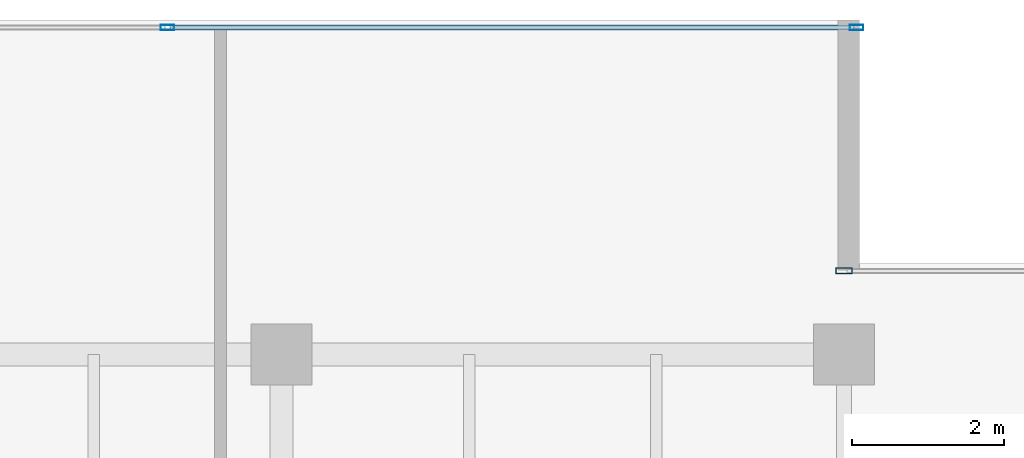
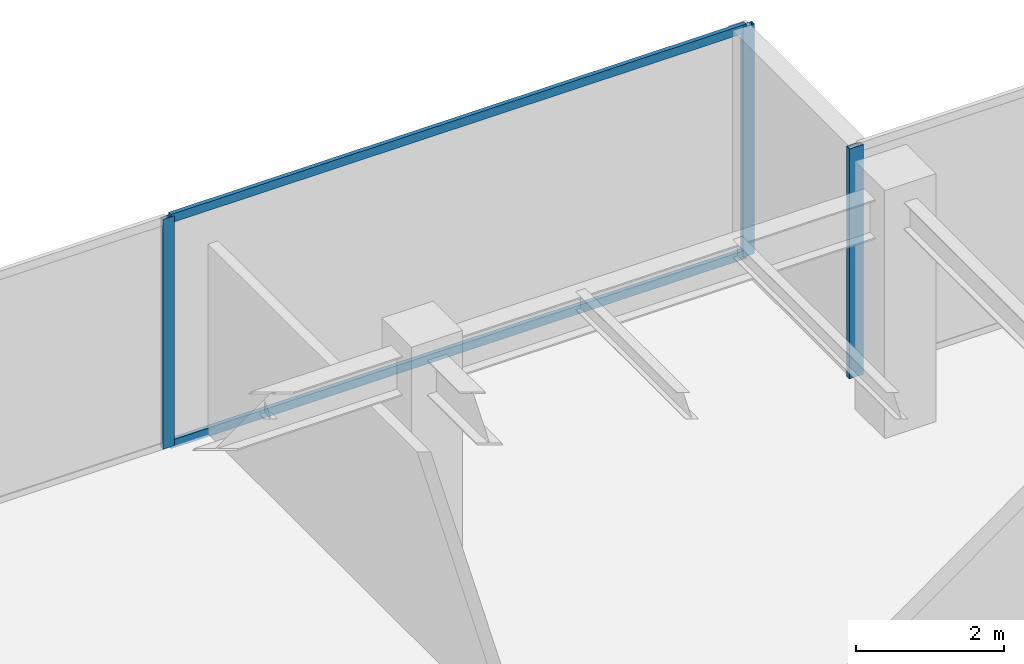
# One storey, part 21 of 33: 5 members, 2 elements without a shape of their own.
"""IFC4 building model written with IfcOpenShell, lengths in metres."""

from ifc_helpers import new_model, si_unit, direction, frame, origin, origin_2d, place, context, subcontext, project, spatial, hollow_rectangle, extrude, source, transform, mapped, material, layer, layer_set, material_profile, profile_set, type_object, type_shapes, element, aggregate, save


model = new_model("IFC4")

# Units and contexts
model_context = context("Model", 3, precision=1e-05, world=origin(), true_north=direction((0.0, 1.0)))
body_context = subcontext(model_context, "Body", "Model", "MODEL_VIEW")
ifc_project = project(units=[si_unit("LENGTHUNIT", "METRE"), si_unit("AREAUNIT", "SQUARE_METRE"), si_unit("VOLUMEUNIT", "CUBIC_METRE"), si_unit("PLANEANGLEUNIT", "RADIAN"), si_unit("MASSUNIT", "GRAM", prefix="KILO")], contexts=[model_context])

# Site, building, storey
site_placement = place(None, origin())
site = spatial("IfcSite", under=ifc_project, at=site_placement, CompositionType="ELEMENT")
building_placement = place(site_placement, origin())
building = spatial("IfcBuilding", under=site, at=building_placement, Name="Haelvirn Gate Laboratories", CompositionType="ELEMENT")
storey_placement = place(building_placement, frame((0.0, 0.0, 230.10009765625)))
storey = spatial("IfcBuildingStorey", under=building, at=storey_placement, Name="L55", CompositionType="ELEMENT", Elevation=230.10009765625)

# Curtain wall, members
ifc_material_1 = material(Name="Anodised bronze unitised aluminium & triple low-E glass", Category="aluminium")
ifc_layer_1 = layer(ifc_material_1, 0.176025390625, Name="CW-SYS-4")
ifc_layer_set_1 = layer_set([ifc_layer_1], Name="Anodised bronze unitised aluminium & triple low-E glass")
curtain_wall_type_1 = type_object("IfcCurtainWallType", Name="CW-SYS-4", PredefinedType="NOTDEFINED", material=ifc_layer_set_1)
curtain_wall_1_placement = place(storey_placement, origin())
curtain_wall_1 = element("IfcCurtainWall", 1, at=curtain_wall_1_placement, inside=storey, type_object=curtain_wall_type_1, Name="L55 Unitised Curtain Wall CW-L55-P0-E10-1", PredefinedType="NOTDEFINED")
ifc_material_2 = material(Name="Extruded aluminium 6063-T6 (anodised bronze)", Category="aluminium")
ifc_material_profile_1 = material_profile(ifc_material_2, hollow_rectangle(XDim=0.06494140625, YDim=0.139892578125, WallThickness=0.00390625, at=origin_2d()), Name="CWT-140x65x4")
ifc_profile_set_1 = profile_set([ifc_material_profile_1], Name="Extruded aluminium 6063-T6 (anodised bronze)")
member_type_1 = type_object("IfcMemberType", Name="CWT-T140", PredefinedType="USERDEFINED", material=ifc_profile_set_1)
shared_shape_1 = source(origin(), body_context, "Body", "SweptSolid", [
    extrude(hollow_rectangle(XDim=0.06494140625, YDim=0.139892578125, WallThickness=0.00390625, at=origin_2d()), origin(), (0.0, 0.0, 1.0), 8.9951171875),
])
type_shapes(member_type_1, [shared_shape_1])
member_1_placement = place(storey_placement, frame((58.534912109375, 45.89990234375, 0.032470703125), z_axis=(1.0, 0.0, 0.0), x_axis=(0.0, 1.0, 0.0)))
member_1 = element("IfcMember", 2, at=member_1_placement, type_object=member_type_1, Name="CW4 transom 2.1", ObjectType="TRANSOM", PredefinedType="USERDEFINED", context=body_context, shape_type="MappedRepresentation", body=[
    mapped(shared_shape_1, transform((0.0, 0.0, 0.0), scale=1.0)),
])
member_2_placement = place(storey_placement, frame((58.534912109375, 45.89990234375, 3.767333984375), z_axis=(1.0, 0.0, 0.0), x_axis=(0.0, 1.0, 0.0)))
member_2 = element("IfcMember", 3, at=member_2_placement, type_object=member_type_1, Name="CW4 transom 2.2", ObjectType="TRANSOM", PredefinedType="USERDEFINED", context=body_context, shape_type="MappedRepresentation", body=[
    mapped(shared_shape_1, transform((0.0, 0.0, 0.0), scale=1.0)),
])
ifc_material_profile_2 = material_profile(ifc_material_2, hollow_rectangle(XDim=0.070068359375, YDim=0.179931640625, WallThickness=0.0048828125, at=origin_2d()), Name="CWM-180x70x5")
ifc_profile_set_2 = profile_set([ifc_material_profile_2], Name="Extruded aluminium 6063-T6 (anodised bronze)")
member_type_2 = type_object("IfcMemberType", Name="CWM-T180", PredefinedType="MULLION", material=ifc_profile_set_2)
shared_shape_2 = source(origin(), body_context, "Body", "SweptSolid", [
    extrude(hollow_rectangle(XDim=0.070068359375, YDim=0.179931640625, WallThickness=0.0048828125, at=origin_2d()), origin(), (0.0, 0.0, 1.0), 3.7998046875),
])
type_shapes(member_type_2, [shared_shape_2])
member_3_placement = place(storey_placement, frame((58.5, 45.89990234375, 0.0), z_axis=(0.0, 0.0, 1.0), x_axis=(0.0, 1.0, 0.0)))
member_3 = element("IfcMember", 4, at=member_3_placement, type_object=member_type_2, Name="CW4 mullion 2", PredefinedType="MULLION", context=body_context, shape_type="MappedRepresentation", body=[
    mapped(shared_shape_2, transform((0.0, 0.0, 0.0), scale=1.0)),
])
member_4_placement = place(storey_placement, frame((67.56494140625, 45.89990234375, 0.0), z_axis=(0.0, 0.0, 1.0), x_axis=(0.0, 1.0, 0.0)))
member_4 = element("IfcMember", 5, at=member_4_placement, type_object=member_type_2, Name="CW4 mullion 3", PredefinedType="MULLION", context=body_context, shape_type="MappedRepresentation", body=[
    mapped(shared_shape_2, transform((0.0, 0.0, 0.0), scale=1.0)),
])
aggregate(curtain_wall_1, [member_3, member_4, member_1, member_2])

# Curtain wall, member
ifc_layer_2 = layer(ifc_material_1, 0.181884765625, Name="CW-SYS-5")
ifc_layer_set_2 = layer_set([ifc_layer_2], Name="Anodised bronze unitised aluminium & triple low-E glass")
curtain_wall_type_2 = type_object("IfcCurtainWallType", Name="CW-SYS-5", PredefinedType="NOTDEFINED", material=ifc_layer_set_2)
curtain_wall_2_placement = place(storey_placement, origin())
curtain_wall_2 = element("IfcCurtainWall", 6, at=curtain_wall_2_placement, inside=storey, type_object=curtain_wall_type_2, Name="L55 Unitised Curtain Wall CW-L55-P0-E08-1", PredefinedType="NOTDEFINED")
ifc_material_profile_3 = material_profile(ifc_material_2, hollow_rectangle(XDim=0.080078125, YDim=0.219970703125, WallThickness=0.006103515625, at=origin_2d()), Name="CWM-220x80x6")
ifc_profile_set_3 = profile_set([ifc_material_profile_3], Name="Extruded aluminium 6063-T6 (anodised bronze)")
member_type_3 = type_object("IfcMemberType", Name="CWM-T220", PredefinedType="MULLION", material=ifc_profile_set_3)
shared_shape_3 = source(origin(), body_context, "Body", "SweptSolid", [
    extrude(hollow_rectangle(XDim=0.080078125, YDim=0.219970703125, WallThickness=0.006103515625, at=origin_2d()), origin(), (0.0, 0.0, 1.0), 3.7998046875),
])
type_shapes(member_type_3, [shared_shape_3])
member_5_placement = place(storey_placement, frame((67.39990234375, 42.699951171875, 0.0), z_axis=(0.0, 0.0, 1.0), x_axis=(0.0, 1.0, 0.0)))
member_5 = element("IfcMember", 7, at=member_5_placement, type_object=member_type_3, Name="CW5 mullion 1", PredefinedType="MULLION", context=body_context, shape_type="MappedRepresentation", body=[
    mapped(shared_shape_3, transform((0.0, 0.0, 0.0), scale=1.0)),
])
aggregate(curtain_wall_2, [member_5])

save(model, "model.ifc")
